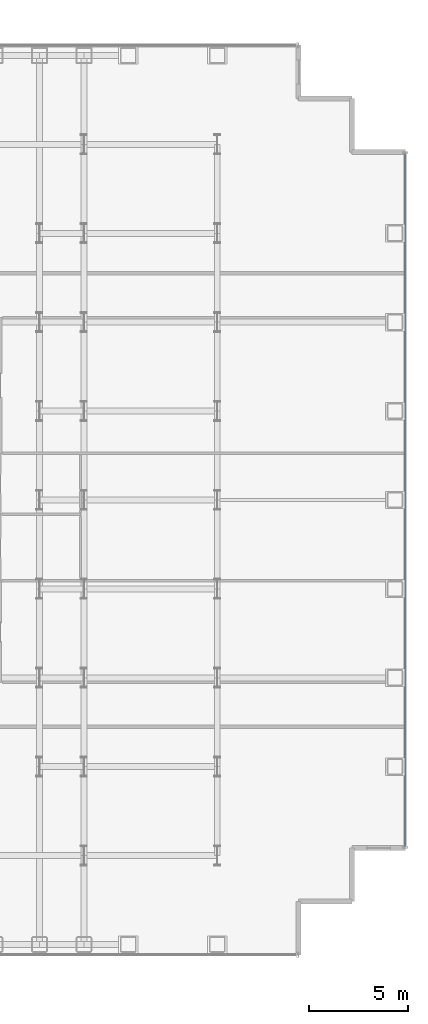
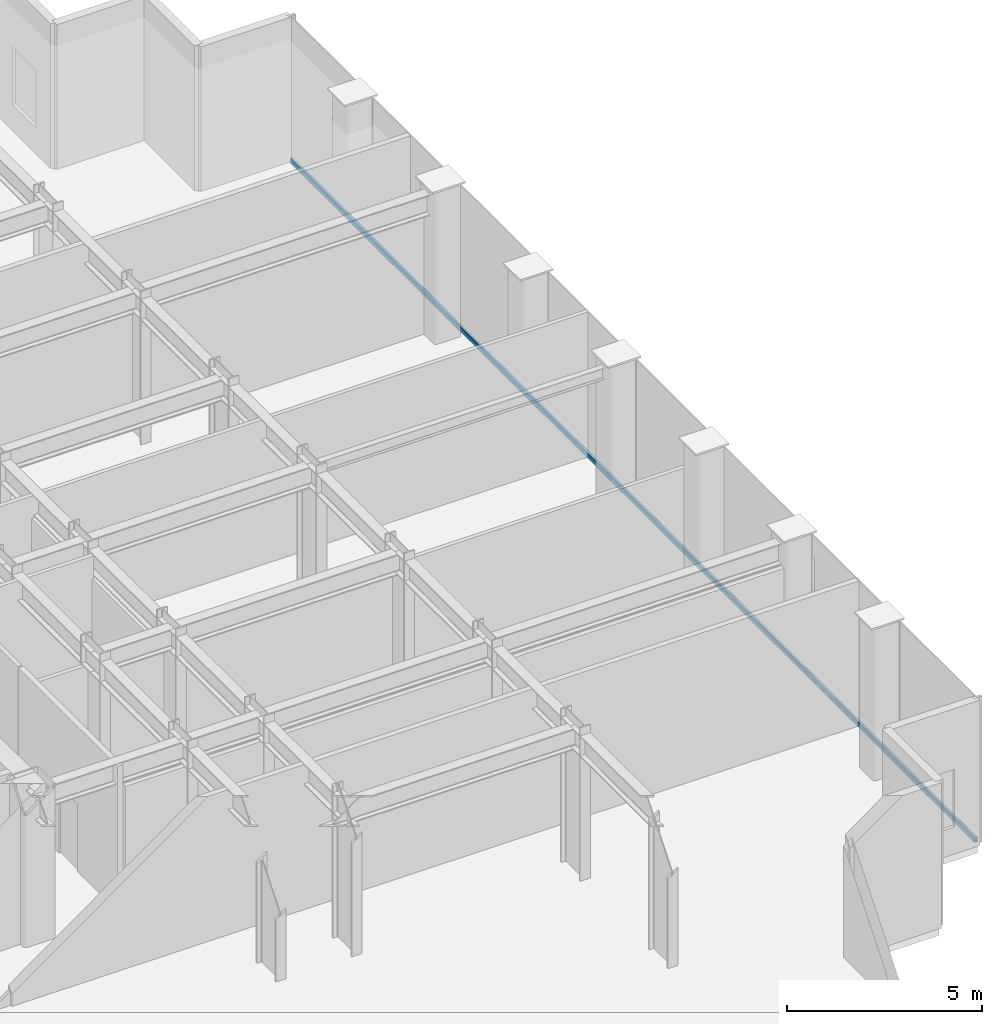
# One storey, part 17 of 27: 1 member, 1 element without a shape of its own.
"""IFC4 building model written with IfcOpenShell, lengths in metres."""

import ifcopenshell
import ifcopenshell.guid

model = None  # the IFC model being written
_history = None  # IfcOwnerHistory: only IFC2X3 demands one
_inside = {}  # id of a spatial element -> (the spatial element, [elements in it])
_under = {}  # id of a project, library or spatial element -> (it, [spatial elements below it])
_declared = {}  # id of a project -> (the project, [libraries it declares])
_typed = {}  # id of a type object -> (the type object, [elements of that type])
_made_of = {}  # id of a material, layer set ... -> (it, [elements and type objects made of it])


def new_model(schema):
    """Start an empty IFC model of exactly this schema.

    Asked for "IFC4X3", IfcOpenShell would pick the latest addendum, in which some entities
    have other attributes; the version numbers below select the first issue.
    IFC2X3 requires an IfcOwnerHistory on every rooted entity: one is made here for all.
    """
    global model, _history
    if schema == "IFC4X3":
        model = ifcopenshell.file(schema_version=(4, 3, 0, 0))
    else:
        model = ifcopenshell.file(schema=schema)
    _inside.clear()
    _under.clear()
    _declared.clear()
    _typed.clear()
    _made_of.clear()
    _history = None
    if model.schema == "IFC2X3":
        org = make("IfcOrganization", Name="unknown")
        user = make(
            "IfcPersonAndOrganization",
            ThePerson=make("IfcPerson", FamilyName="unknown"),
            TheOrganization=org,
        )
        app = make(
            "IfcApplication",
            ApplicationDeveloper=org,
            Version="unknown",
            ApplicationFullName="unknown",
            ApplicationIdentifier="unknown",
        )
        _history = make(
            "IfcOwnerHistory",
            OwningUser=user,
            OwningApplication=app,
            ChangeAction="ADDED",
            CreationDate=0,
        )
    return model


def make(cls, **values):
    """One entity of the class cls with the attributes given. An attribute that is None is left unset."""
    return model.create_entity(
        cls, **{name: value for name, value in values.items() if value is not None}
    )


def rooted(cls, **values):
    """An entity with a GlobalId (a new one), such as an element, a storey or a relation."""
    return make(cls, GlobalId=ifcopenshell.guid.new(), OwnerHistory=_history, **values)


def si_unit(unit_type, name, prefix=None):
    """IfcSIUnit, for example si_unit("LENGTHUNIT", "METRE", prefix="MILLI")."""
    return make("IfcSIUnit", UnitType=unit_type, Prefix=prefix, Name=name)


def assignment(units):
    """IfcUnitAssignment: the units of a project."""
    return None if units is None else make("IfcUnitAssignment", Units=units)


def point(xyz):
    """IfcCartesianPoint."""
    return None if xyz is None else make("IfcCartesianPoint", Coordinates=xyz)


def direction(xyz):
    """IfcDirection."""
    return None if xyz is None else make("IfcDirection", DirectionRatios=xyz)


def frame(location, z_axis=None, x_axis=None):
    """IfcAxis2Placement3D, a coordinate frame: its origin and axes. An axis left out is left unset."""
    return make(
        "IfcAxis2Placement3D",
        Location=point(location),
        Axis=direction(z_axis),
        RefDirection=direction(x_axis),
    )


def frame_2d(location, x_axis=None):
    """IfcAxis2Placement2D, a coordinate frame in the plane: its origin and x axis."""
    return make(
        "IfcAxis2Placement2D", Location=point(location), RefDirection=direction(x_axis)
    )


def origin():
    """The frame at (0, 0, 0) with its axes left unset."""
    return frame((0.0, 0.0, 0.0))


def origin_2d():
    """The frame at (0, 0) in the plane with its x axis left unset."""
    return frame_2d((0.0, 0.0))


def place(relative_to, where):
    """IfcLocalPlacement: puts the frame where relative to a parent placement (None: the world)."""
    return make(
        "IfcLocalPlacement", PlacementRelTo=relative_to, RelativePlacement=where
    )


def context(
    kind, dimensions, precision=None, world=None, true_north=None, identifier=None
):
    """IfcGeometricRepresentationContext, for example the 3D "Model" context."""
    return make(
        "IfcGeometricRepresentationContext",
        ContextIdentifier=identifier,
        ContextType=kind,
        CoordinateSpaceDimension=dimensions,
        Precision=precision,
        WorldCoordinateSystem=world,
        TrueNorth=true_north,
    )


def subcontext(parent, identifier, kind, view, scale=None):
    """IfcGeometricRepresentationSubContext, for example "Body" below "Model"."""
    return make(
        "IfcGeometricRepresentationSubContext",
        ContextIdentifier=identifier,
        ContextType=kind,
        ParentContext=parent,
        TargetScale=scale,
        TargetView=view,
    )


def project(units=None, contexts=None):
    """IfcProject with its units and contexts."""
    return rooted(
        "IfcProject",
        Name="project",
        RepresentationContexts=contexts,
        UnitsInContext=assignment(units),
    )


def spatial(cls, under=None, at=None, **own):
    """A site, building, storey or space (cls), placed at a placement, below another one or the project."""
    s = rooted(cls, ObjectPlacement=at, **own)
    if under is not None:
        _under.setdefault(under.id(), (under, []))[1].append(s)
    return s


def profile(cls, at=None, kind="AREA", **sizes):
    """A parametric profile (cls). Its sizes go by their IFC names, for example OverallWidth=200.0."""
    return make(cls, ProfileType=kind, Position=at, **sizes)


def hollow_rectangle(**sizes):
    """IfcRectangleHollowProfileDef."""
    return profile("IfcRectangleHollowProfileDef", **sizes)


def extrude(swept, where, along, depth):
    """IfcExtrudedAreaSolid: the profile swept, set in the frame where, extruded along a direction by depth."""
    return make(
        "IfcExtrudedAreaSolid",
        SweptArea=swept,
        Position=where,
        ExtrudedDirection=direction(along),
        Depth=depth,
    )


def shape(context_of_items, identifier, shape_type, items):
    """IfcShapeRepresentation: the items that make up one representation, for example the "Body"."""
    return make(
        "IfcShapeRepresentation",
        ContextOfItems=context_of_items,
        RepresentationIdentifier=identifier,
        RepresentationType=shape_type,
        Items=items,
    )


def source(mapping_origin, context_of_items, identifier, shape_type, items):
    """IfcRepresentationMap: a shape defined once, which mapped items show again and again."""
    return make(
        "IfcRepresentationMap",
        MappingOrigin=mapping_origin,
        MappedRepresentation=shape(context_of_items, identifier, shape_type, items),
    )


def transform(
    local_origin,
    x_axis=None,
    y_axis=None,
    z_axis=None,
    scale=None,
    scale2=None,
    scale3=None,
    uniform=True,
):
    """IfcCartesianTransformationOperator3D, or its non-uniform kind. x_axis, y_axis, z_axis: its Axis1, 2, 3."""
    if uniform:
        return make(
            "IfcCartesianTransformationOperator3D",
            Axis1=direction(x_axis),
            Axis2=direction(y_axis),
            LocalOrigin=point(local_origin),
            Scale=scale,
            Axis3=direction(z_axis),
        )
    return make(
        "IfcCartesianTransformationOperator3DnonUniform",
        Axis1=direction(x_axis),
        Axis2=direction(y_axis),
        LocalOrigin=point(local_origin),
        Scale=scale,
        Axis3=direction(z_axis),
        Scale2=scale2,
        Scale3=scale3,
    )


def mapped(mapping_source, mapping_target):
    """IfcMappedItem: shows the shape of a source again, moved by a transform."""
    return make(
        "IfcMappedItem", MappingSource=mapping_source, MappingTarget=mapping_target
    )


def material(Name=None, Category=None):
    """IfcMaterial."""
    return make("IfcMaterial", Name=Name, Category=Category)


def layer(
    of_material, thickness, ventilated=None, Name=None, Category=None, Priority=None
):
    """IfcMaterialLayer: one layer of a wall or slab, of a material (None: an air gap)."""
    return make(
        "IfcMaterialLayer",
        Material=of_material,
        LayerThickness=thickness,
        IsVentilated=ventilated,
        Name=Name,
        Category=Category,
        Priority=Priority,
    )


def layer_set(layers, Name=None):
    """IfcMaterialLayerSet."""
    return make("IfcMaterialLayerSet", MaterialLayers=layers, LayerSetName=Name)


def material_profile(
    of_material, cross_section, Name=None, Category=None, Priority=None
):
    """IfcMaterialProfile: a cross section and its material."""
    return make(
        "IfcMaterialProfile",
        Name=Name,
        Material=of_material,
        Profile=cross_section,
        Priority=Priority,
        Category=Category,
    )


def profile_set(profiles, Name=None, composite=None):
    """IfcMaterialProfileSet."""
    return make(
        "IfcMaterialProfileSet",
        Name=Name,
        MaterialProfiles=profiles,
        CompositeProfile=composite,
    )


def made_of(thing, what):
    """Note that an element or type object is made of a material, layer set ...; save() writes the relation."""
    if what is not None:
        _made_of.setdefault(what.id(), (what, []))[1].append(thing)
    return thing


def type_object(cls, material=None, **own):
    """A type object (cls), such as IfcWallType, which elements share."""
    return made_of(rooted(cls, **own), material)


def element(
    cls,
    number,
    at=None,
    inside=None,
    cuts=None,
    type_object=None,
    material=None,
    context=None,
    identifier="Body",
    shape_type=None,
    held_by="IfcProductDefinitionShape",
    body=None,
    shapes=None,
    **own,
):
    """One element of the class cls, such as IfcWall. Its Tag is "e" and its number.

    at: its placement. inside: the storey or other place that contains it. cuts: it is an
    opening in that element (IfcRelVoidsElement). A single representation is given by context,
    identifier, shape_type and body (its items); several are given by shapes. held_by: the class
    of the entity that holds the representations. save() writes the other relations.
    """
    e = rooted(cls, Tag="e%d" % number, ObjectPlacement=at, **own)
    if body is not None:
        shapes = [shape(context, identifier, shape_type, body)]
    if shapes is not None:
        e.Representation = make(held_by, Representations=shapes)
    if inside is not None:
        _inside.setdefault(inside.id(), (inside, []))[1].append(e)
    if cuts is not None:
        rooted(
            "IfcRelVoidsElement", RelatingBuildingElement=cuts, RelatedOpeningElement=e
        )
    if type_object is not None:
        _typed.setdefault(type_object.id(), (type_object, []))[1].append(e)
    return made_of(e, material)


def aggregate(whole, parts):
    """IfcRelAggregates: a whole, such as a stair, and the parts it consists of."""
    return rooted("IfcRelAggregates", RelatingObject=whole, RelatedObjects=parts)


def save(model, path):
    """Write the relations noted so far, then the file.

    IfcRelAggregates (storeys below a building ...), IfcRelContainedInSpatialStructure (elements
    in a storey), IfcRelDefinesByType, IfcRelAssociatesMaterial and IfcRelDeclares: one each for
    every whole, place, type object, material and project.
    """
    for whole, parts in _under.values():
        aggregate(whole, parts)
    for where, things in _inside.values():
        rooted(
            "IfcRelContainedInSpatialStructure",
            RelatedElements=things,
            RelatingStructure=where,
        )
    for kind, things in _typed.values():
        rooted("IfcRelDefinesByType", RelatedObjects=things, RelatingType=kind)
    for what, things in _made_of.values():
        rooted("IfcRelAssociatesMaterial", RelatedObjects=things, RelatingMaterial=what)
    for by, libraries in _declared.values():
        rooted("IfcRelDeclares", RelatingContext=by, RelatedDefinitions=libraries)
    model.write(path)


model = new_model("IFC4")

# Units and contexts
model_context = context("Model", 3, precision=1e-05, world=origin(), true_north=direction((0.0, 1.0)))
body_context = subcontext(model_context, "Body", "Model", "MODEL_VIEW")
ifc_project = project(units=[si_unit("LENGTHUNIT", "METRE"), si_unit("AREAUNIT", "SQUARE_METRE"), si_unit("VOLUMEUNIT", "CUBIC_METRE"), si_unit("PLANEANGLEUNIT", "RADIAN"), si_unit("MASSUNIT", "GRAM", prefix="KILO")], contexts=[model_context])

# Site, building, storey
site_placement = place(None, origin())
site = spatial("IfcSite", under=ifc_project, at=site_placement, CompositionType="ELEMENT")
building_placement = place(site_placement, origin())
building = spatial("IfcBuilding", under=site, at=building_placement, Name="Nefas-Gora Pilgrimage Tower", CompositionType="ELEMENT")
storey_placement = place(building_placement, frame((0.0, 0.0, 144.0)))
storey = spatial("IfcBuildingStorey", under=building, at=storey_placement, Name="L35", CompositionType="ELEMENT", Elevation=144.0)

# Curtain wall, member
ifc_material_1 = material(Name="Dark ceramic-fritted solar-control aluminium-glass curtain wall", Category="aluminium")
ifc_layer = layer(ifc_material_1, 0.219970703125)
ifc_layer_set = layer_set([ifc_layer], Name="Dark ceramic-fritted solar-control aluminium-glass curtain wall")
curtain_wall_type = type_object("IfcCurtainWallType", Name="CW-SYS-2", PredefinedType="NOTDEFINED", material=ifc_layer_set)
curtain_wall_placement = place(storey_placement, origin())
curtain_wall = element("IfcCurtainWall", 1, at=curtain_wall_placement, inside=storey, type_object=curtain_wall_type, Name="L35 Unitised Curtain Wall CW2", PredefinedType="NOTDEFINED")
ifc_material_2 = material(Name="Anodised architectural aluminium", Category="aluminium")
ifc_material_profile = material_profile(ifc_material_2, hollow_rectangle(XDim=0.080078125, YDim=0.159912109375, WallThickness=0.00439453125, InnerFilletRadius=0.00439453125, OuterFilletRadius=0.009033203125, at=origin_2d()), Name="ALU TRANSOM 80x160")
ifc_profile_set = profile_set([ifc_material_profile], Name="Anodised architectural aluminium")
member_type = type_object("IfcMemberType", Name="CWM-TRN-2", PredefinedType="USERDEFINED", material=ifc_profile_set)
shared_shape = source(origin(), body_context, "Body", "SweptSolid", [
    extrude(hollow_rectangle(XDim=0.080078125, YDim=0.159912109375, WallThickness=0.00439453125, InnerFilletRadius=0.00439453125, OuterFilletRadius=0.009033203125, at=origin_2d()), origin(), (0.0, 0.0, 1.0), 35.06005859375),
])
member_placement = place(storey_placement, frame((34.27001953125, -17.530029296875, 0.050048828125), z_axis=(0.0, 1.0, 0.0), x_axis=(-1.0, 0.0, 0.0)))
member = element("IfcMember", 2, at=member_placement, type_object=member_type, Name="CW2 Spandrel Transom", ObjectType="TRANSOM", PredefinedType="USERDEFINED", context=body_context, shape_type="MappedRepresentation", body=[
    mapped(shared_shape, transform((0.0, 0.0, 0.0), x_axis=(1.0, 0.0, 0.0), y_axis=(0.0, 1.0, 0.0), z_axis=(0.0, 0.0, 1.0), scale=1.0)),
])
aggregate(curtain_wall, [member])

save(model, "model.ifc")
